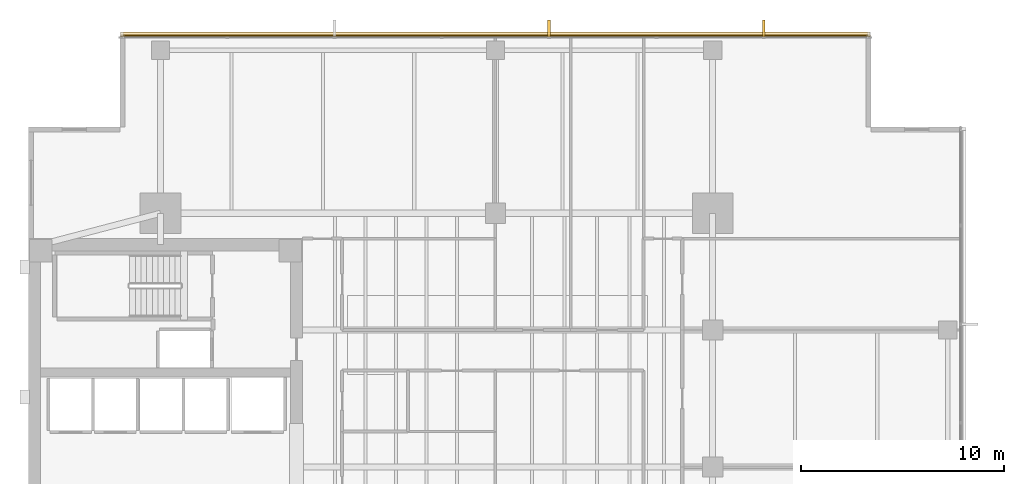
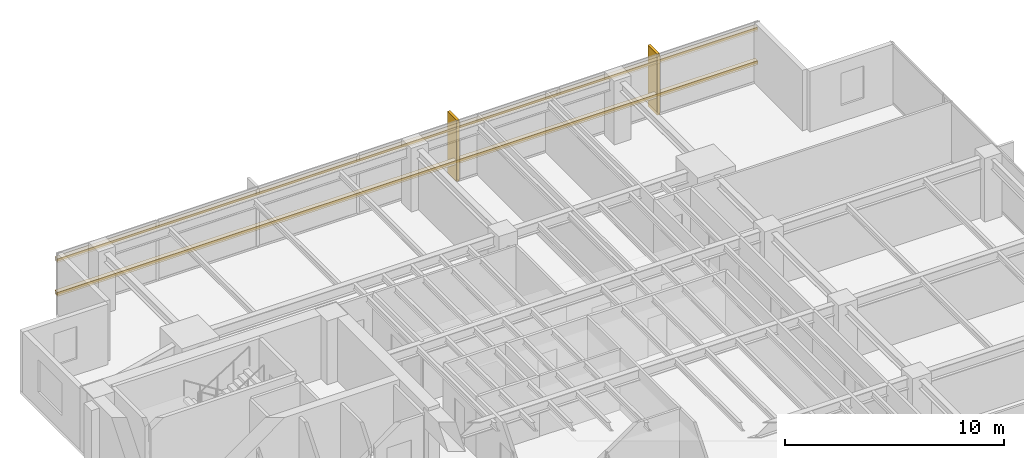
# One storey, part 14 of 14: 4 coverings, 2 shading devices.
"""IFC4 building model written with IfcOpenShell, lengths in metres."""

from ifc_helpers import new_model, si_unit, direction, frame, origin, origin_2d, place, context, subcontext, project, spatial, polyline, rectangle, outline, extrude, material, layer, layer_set, material_profile, profile_set, type_object, element, save


model = new_model("IFC4")

# Units and contexts
model_context = context("Model", 3, precision=1e-05, world=origin(), true_north=direction((0.0, 1.0)))
body_context = subcontext(model_context, "Body", "Model", "MODEL_VIEW")
ifc_project = project(units=[si_unit("LENGTHUNIT", "METRE"), si_unit("AREAUNIT", "SQUARE_METRE"), si_unit("VOLUMEUNIT", "CUBIC_METRE"), si_unit("PLANEANGLEUNIT", "RADIAN"), si_unit("MASSUNIT", "GRAM", prefix="KILO")], contexts=[model_context])

# Site, building, storey
site_placement = place(None, origin())
site = spatial("IfcSite", under=ifc_project, at=site_placement, CompositionType="ELEMENT")
building_placement = place(site_placement, origin())
building = spatial("IfcBuilding", under=site, at=building_placement, Name="Kinhvarn Gate Tower", CompositionType="ELEMENT")
storey_placement = place(building_placement, frame((0.0, 0.0, 155.5)))
storey = spatial("IfcBuildingStorey", under=building, at=storey_placement, Name="L41", CompositionType="ELEMENT", Elevation=155.5)

# Coverings
ifc_material = material(Name="Fired architectural terracotta", Category="masonry")
ifc_layer_1 = layer(ifc_material, 0.239990234375)
ifc_layer_set_1 = layer_set([ifc_layer_1], Name="Fired architectural terracotta")
covering_type_1 = type_object("IfcCoveringType", Name="COV-BAG-220", PredefinedType="CLADDING", material=ifc_layer_set_1)
for number, where, name in (
    (1, (0.0, 0.0, 0.93994140625), "Terracotta Horizontal Sunscreen Band TBG-220 (L41)"),
    (2, (0.0, 0.0, 2.81005859375), "Terracotta Horizontal Sunscreen Band TBG-220 (L41)"),
):
    element("IfcCovering", number, at=place(storey_placement, frame(where)), inside=storey, type_object=covering_type_1, Name=name, PredefinedType="CLADDING", context=body_context, shape_type="SweptSolid", body=[
        extrude(outline(polyline([(45.9599609375, 46.429931640625), (9.0400390625, 46.429931640625), (9.0400390625, 46.669921875), (45.9599609375, 46.669921875), (45.9599609375, 46.429931640625)])), origin(), (0.0, 0.0, 1.0), 0.219970703125),
    ])
ifc_layer_2 = layer(ifc_material, 0.139892578125)
ifc_layer_set_2 = layer_set([ifc_layer_2], Name="Fired architectural terracotta")
covering_type_2 = type_object("IfcCoveringType", Name="COV-FIN-850", PredefinedType="CLADDING", material=ifc_layer_set_2)
covering_1_placement = place(storey_placement, frame((0.0, 0.0, -0.02001953125)))
element("IfcCovering", 3, at=covering_1_placement, inside=storey, type_object=covering_type_2, Name="Vertical Terracotta Expressive Fin TFN-850 (L41)", PredefinedType="CLADDING", context=body_context, shape_type="SweptSolid", body=[
    extrude(outline(polyline([(40.7841796875, 46.419921875), (40.644287109375, 46.419921875), (40.644287109375, 47.27001953125), (40.7841796875, 47.27001953125), (40.7841796875, 46.419921875)])), origin(), (0.0, 0.0, 1.0), 3.409912109375),
])
covering_2_placement = place(storey_placement, frame((0.0, 0.0, -0.02001953125)))
element("IfcCovering", 4, at=covering_2_placement, inside=storey, type_object=covering_type_2, Name="Vertical Terracotta Expressive Fin TFN-850 (L41)", PredefinedType="CLADDING", context=body_context, shape_type="SweptSolid", body=[
    extrude(outline(polyline([(30.212890625, 46.419921875), (30.072998046875, 46.419921875), (30.072998046875, 47.27001953125), (30.212890625, 47.27001953125), (30.212890625, 46.419921875)])), origin(), (0.0, 0.0, 1.0), 3.409912109375),
])

# Shading devices
ifc_material_profile = material_profile(ifc_material, rectangle(XDim=0.050048828125, YDim=0.1201171875, at=origin_2d()), Name="TC 50x120")
ifc_profile_set = profile_set([ifc_material_profile], Name="Fired architectural terracotta")
shading_device_type = type_object("IfcShadingDeviceType", Name="SHD-BAG-140", PredefinedType="USERDEFINED", material=ifc_profile_set)
for number, where, z_axis, x_axis, name in (
    (5, (45.9599609375, 46.5, 1.050048828125), (-1.0, 0.0, 0.0), (0.0, -1.0, 0.0), "Upper Tower Terracotta Baguette Screen Rod 50x120 mm (L41)"),
    (6, (45.9599609375, 46.5, 2.919921875), (-1.0, 0.0, 0.0), (0.0, -1.0, 0.0), "Upper Tower Terracotta Baguette Screen Rod 50x120 mm (L41)"),
):
    element("IfcShadingDevice", number, at=place(storey_placement, frame(where, z_axis=z_axis, x_axis=x_axis)), inside=storey, type_object=shading_device_type, Name=name, ObjectType="BAGUETTE", PredefinedType="USERDEFINED", context=body_context, shape_type="SweptSolid", body=[
        extrude(rectangle(XDim=0.050048828125, YDim=0.1201171875, at=origin_2d()), origin(), (0.0, 0.0, 1.0), 36.919921875),
    ])

save(model, "model.ifc")
